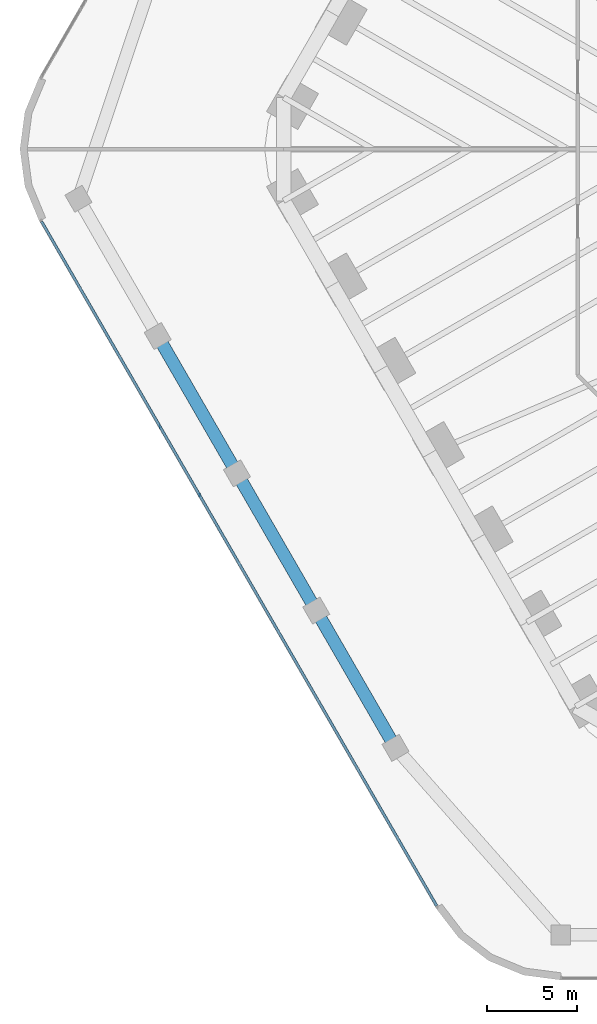
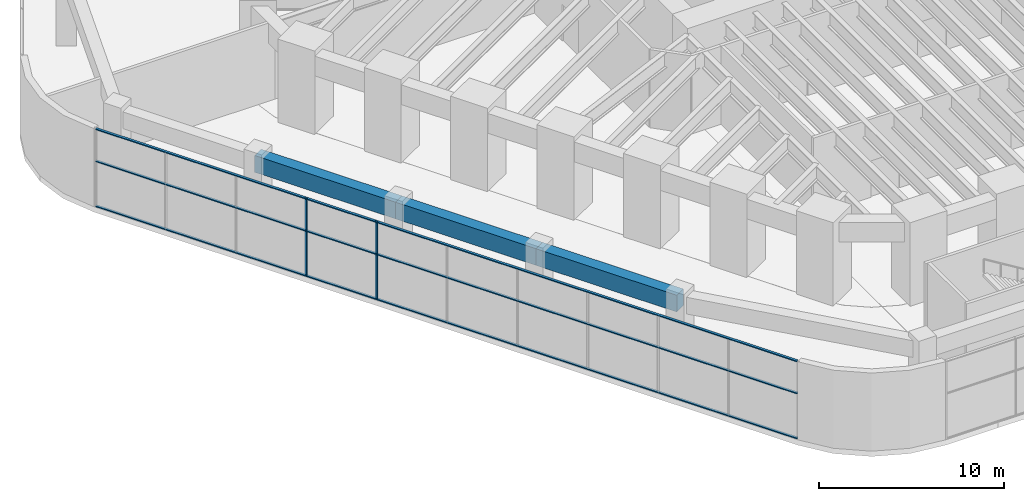
# One storey, part 3 of 31: 5 members, 3 beams, 1 element without a shape of its own.
"""IFC4 building model written with IfcOpenShell, lengths in metres."""

from ifc_helpers import new_model, si_unit, direction, frame, origin, origin_2d, place, context, subcontext, project, spatial, rectangle, extrude, material, material_profile, profile_set, type_object, element, aggregate, save


model = new_model("IFC4")

# Units and contexts
model_context = context("Model", 3, precision=1e-05, world=origin(), true_north=direction((0.0, 1.0)))
body_context = subcontext(model_context, "Body", "Model", "MODEL_VIEW")
ifc_project = project(units=[si_unit("LENGTHUNIT", "METRE"), si_unit("AREAUNIT", "SQUARE_METRE"), si_unit("VOLUMEUNIT", "CUBIC_METRE"), si_unit("PLANEANGLEUNIT", "RADIAN"), si_unit("MASSUNIT", "GRAM", prefix="KILO")], contexts=[model_context])

# Site, building, storey
site_placement = place(None, origin())
site = spatial("IfcSite", under=ifc_project, at=site_placement, CompositionType="ELEMENT")
building_placement = place(site_placement, origin())
building = spatial("IfcBuilding", under=site, at=building_placement, Name="Tarfa Lantern Tower", CompositionType="ELEMENT")
storey_placement = place(building_placement, frame((0.0, 0.0, 13.0)))
storey = spatial("IfcBuildingStorey", under=building, at=storey_placement, Name="L02", CompositionType="ELEMENT", Elevation=13.0)

# Curtain wall, members
ifc_material_1 = material(Name="Aluminium framed curtain wall", Category="aluminium")
curtain_wall_type = type_object("IfcCurtainWallType", Name="CW7 PODIUM GLAZING 5150", PredefinedType="USERDEFINED", material=ifc_material_1)
curtain_wall_placement = place(storey_placement, origin())
curtain_wall = element("IfcCurtainWall", 1, at=curtain_wall_placement, inside=storey, type_object=curtain_wall_type, Name="CW7 SW L02", ObjectType="CURTAIN WALL", PredefinedType="USERDEFINED")
ifc_material_2 = material(Name="Aluminium mullion", Category="aluminium")
ifc_material_profile_1 = material_profile(ifc_material_2, rectangle(XDim=0.06494140625, YDim=0.199951171875, at=origin_2d()), Name="AL MULLION 65x200")
ifc_profile_set_1 = profile_set([ifc_material_profile_1], Name="Aluminium mullion")
member_type_1 = type_object("IfcMemberType", Name="CWM1 MULLION 65x200", PredefinedType="MULLION", material=ifc_profile_set_1)
member_1_placement = place(storey_placement, frame((-44.138427734375, -15.35009765625, 0.0), z_axis=(0.0, 0.0, 1.0), x_axis=(1.0, 0.0, 0.0)))
member_1 = element("IfcMember", 2, at=member_1_placement, type_object=member_type_1, Name="CW7 mullion 4", PredefinedType="MULLION", context=body_context, shape_type="SweptSolid", body=[
    extrude(rectangle(XDim=0.06494140625, YDim=0.199951171875, at=origin_2d()), origin(), (0.0, 0.0, 1.0), 5.14990234375),
])
member_2_placement = place(storey_placement, frame((-41.944580078125, -19.14990234375, 0.0), z_axis=(0.0, 0.0, 1.0), x_axis=(1.0, 0.0, 0.0)))
member_2 = element("IfcMember", 3, at=member_2_placement, type_object=member_type_1, Name="CW7 mullion 5", PredefinedType="MULLION", context=body_context, shape_type="SweptSolid", body=[
    extrude(rectangle(XDim=0.06494140625, YDim=0.199951171875, at=origin_2d()), origin(), (0.0, 0.0, 1.0), 5.14990234375),
])
ifc_material_3 = material(Name="Aluminium transom", Category="aluminium")
ifc_material_profile_2 = material_profile(ifc_material_3, rectangle(XDim=0.14990234375, YDim=0.06494140625, at=origin_2d()), Name="AL TRANSOM 150x65")
ifc_profile_set_2 = profile_set([ifc_material_profile_2], Name="Aluminium transom")
member_type_2 = type_object("IfcMemberType", Name="CWT1 TRANSOM 150x65", PredefinedType="USERDEFINED", material=ifc_profile_set_2)
member_3_placement = place(storey_placement, frame((-50.687744140625, -4.00634765625, 0.032470703125), z_axis=(0.499998927597, -0.866026022936, 0.0), x_axis=(0.866026022936, 0.499998927597, 0.0)))
member_3 = element("IfcMember", 4, at=member_3_placement, type_object=member_type_2, Name="CW7 transom 1.1", ObjectType="TRANSOM", PredefinedType="USERDEFINED", context=body_context, shape_type="SweptSolid", body=[
    extrude(rectangle(XDim=0.14990234375, YDim=0.06494140625, at=origin_2d()), origin(), (0.0, 0.0, 1.0), 43.74853515625),
])
member_4_placement = place(storey_placement, frame((-50.687744140625, -4.00634765625, 3.0), z_axis=(0.499998927597, -0.866026022936, 0.0), x_axis=(0.866026022936, 0.499998927597, 0.0)))
member_4 = element("IfcMember", 5, at=member_4_placement, type_object=member_type_2, Name="CW7 transom 1.2", ObjectType="TRANSOM", PredefinedType="USERDEFINED", context=body_context, shape_type="SweptSolid", body=[
    extrude(rectangle(XDim=0.14990234375, YDim=0.06494140625, at=origin_2d()), origin(), (0.0, 0.0, 1.0), 43.74853515625),
])
member_5_placement = place(storey_placement, frame((-50.687744140625, -4.00634765625, 5.117431640625), z_axis=(0.499998927597, -0.866026022936, 0.0), x_axis=(0.866026022936, 0.499998927597, 0.0)))
member_5 = element("IfcMember", 6, at=member_5_placement, type_object=member_type_2, Name="CW7 transom 1.3", ObjectType="TRANSOM", PredefinedType="USERDEFINED", context=body_context, shape_type="SweptSolid", body=[
    extrude(rectangle(XDim=0.14990234375, YDim=0.06494140625, at=origin_2d()), origin(), (0.0, 0.0, 1.0), 43.74853515625),
])
aggregate(curtain_wall, [member_1, member_2, member_3, member_4, member_5])

# Beams
ifc_material_4 = material(Name="Concrete C80/95", Category="concrete")
ifc_material_profile_3 = material_profile(ifc_material_4, rectangle(XDim=0.699951171875, YDim=1.10009765625, at=origin_2d()), Name="RC 700x1100")
ifc_profile_set_3 = profile_set([ifc_material_profile_3], Name="Concrete C80/95")
beam_type = type_object("IfcBeamType", Name="PB1 RC 700x1100", PredefinedType="BEAM", material=ifc_profile_set_3)
for number, where, z_axis, x_axis, name in (
    (7, (-44.25390625, -10.35009765625, 4.60009765625), (0.500013843384, -0.866017411155, 0.0), (0.866017411155, 0.500013843384, 0.0), "Podium ring beam SW1"),
    (8, (-39.865966796875, -17.949951171875, 4.60009765625), (0.499980931779, -0.866036412547, 0.0), (0.866036412547, 0.499980931779, 0.0), "Podium ring beam SW2"),
    (9, (-35.478271484375, -25.550048828125, 4.60009765625), (0.500013843384, -0.866017411155, 0.0), (0.866017411155, 0.500013843384, 0.0), "Podium ring beam SW3"),
):
    element("IfcBeam", number, at=place(storey_placement, frame(where, z_axis=z_axis, x_axis=x_axis)), inside=storey, type_object=beam_type, Name=name, PredefinedType="BEAM", context=body_context, shape_type="SweptSolid", body=[
        extrude(rectangle(XDim=0.699951171875, YDim=1.10009765625, at=origin_2d()), origin(), (0.0, 0.0, 1.0), 8.775634765625),
    ])

save(model, "model.ifc")
